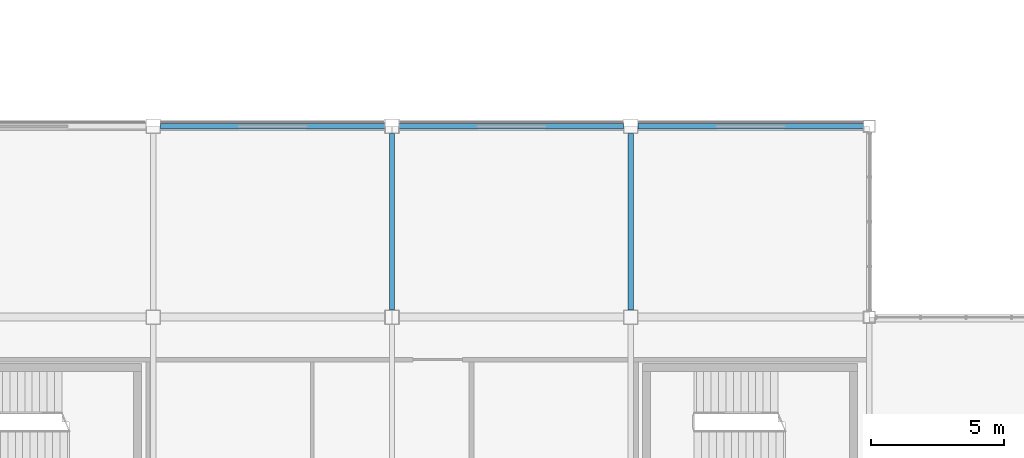
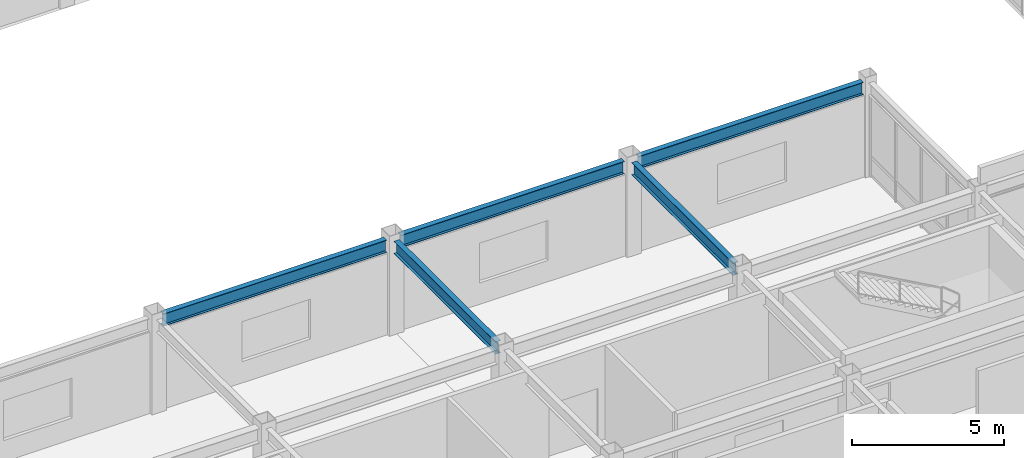
# One storey, part 24 of 122: 5 beams.
"""IFC4 building model written with IfcOpenShell, lengths in metres."""

from ifc_helpers import new_model, si_unit, direction, frame, origin, origin_2d, place, context, subcontext, project, spatial, i_section, extrude, material, material_profile, profile_set, type_object, element, save


model = new_model("IFC4")

# Units and contexts
model_context = context("Model", 3, precision=1e-05, world=origin(), true_north=direction((0.0, 1.0)))
body_context = subcontext(model_context, "Body", "Model", "MODEL_VIEW")
ifc_project = project(units=[si_unit("LENGTHUNIT", "METRE"), si_unit("AREAUNIT", "SQUARE_METRE"), si_unit("VOLUMEUNIT", "CUBIC_METRE"), si_unit("PLANEANGLEUNIT", "RADIAN"), si_unit("MASSUNIT", "GRAM", prefix="KILO")], contexts=[model_context])

# Site, building, storey
site_placement = place(None, origin())
site = spatial("IfcSite", under=ifc_project, at=site_placement, CompositionType="ELEMENT")
building_placement = place(site_placement, origin())
building = spatial("IfcBuilding", under=site, at=building_placement, Name="Kazanami Central Library", CompositionType="ELEMENT")
storey_placement = place(building_placement, frame((0.0, 0.0, 4.800048828125)))
storey = spatial("IfcBuildingStorey", under=building, at=storey_placement, Name="L02", CompositionType="ELEMENT", Elevation=4.800048828125)

# Beams
ifc_material = material(Name="Steel SN490B (325 MPa)", Category="steel")
ifc_material_profile_1 = material_profile(ifc_material, i_section(OverallWidth=0.199951171875, OverallDepth=0.5, WebThickness=0.010009765625, FlangeThickness=0.01611328125, at=origin_2d()), Name="H-500x200x10x16")
ifc_profile_set_1 = profile_set([ifc_material_profile_1], Name="Steel SN490B (325 MPa)")
beam_type_1 = type_object("IfcBeamType", Name="BM-G-Y2", PredefinedType="BEAM", material=ifc_profile_set_1)
for number, where, z_axis, x_axis, name in (
    (1, (18.0, 29.072998046875, 3.5048828125), (0.0, 1.0, 0.0), (-1.0, 0.0, 0.0), "Girder G-Y2 L02 3/E-F"),
    (2, (27.0, 29.072998046875, 3.5048828125), (0.0, 1.0, 0.0), (-1.0, 0.0, 0.0), "Girder G-Y2 L02 4/E-F"),
):
    element("IfcBeam", number, at=place(storey_placement, frame(where, z_axis=z_axis, x_axis=x_axis)), inside=storey, type_object=beam_type_1, Name=name, PredefinedType="BEAM", context=body_context, shape_type="SweptSolid", body=[
        extrude(i_section(OverallWidth=0.199951171875, OverallDepth=0.5, WebThickness=0.010009765625, FlangeThickness=0.01611328125, at=origin_2d()), origin(), (0.0, 0.0, 1.0), 6.654052734375),
    ])
ifc_material_profile_2 = material_profile(ifc_material, i_section(OverallWidth=0.199951171875, OverallDepth=0.5, WebThickness=0.010009765625, FlangeThickness=0.01611328125, at=origin_2d()), Name="H-500x200x10x16")
ifc_profile_set_2 = profile_set([ifc_material_profile_2], Name="Steel SN490B (325 MPa)")
beam_type_2 = type_object("IfcBeamType", Name="BM-SP-1", PredefinedType="SPANDREL", material=ifc_profile_set_2)
for number, where, z_axis, x_axis, name in (
    (3, (9.27294921875, 36.0, 3.5048828125), (1.0, 0.0, 0.0), (0.0, 1.0, 0.0), "Girder SP-1 L02 F/2-3"),
    (4, (18.27294921875, 36.0, 3.5048828125), (1.0, 0.0, 0.0), (0.0, 1.0, 0.0), "Girder SP-1 L02 F/3-4"),
):
    element("IfcBeam", number, at=place(storey_placement, frame(where, z_axis=z_axis, x_axis=x_axis)), inside=storey, type_object=beam_type_2, Name=name, PredefinedType="SPANDREL", context=body_context, shape_type="SweptSolid", body=[
        extrude(i_section(OverallWidth=0.199951171875, OverallDepth=0.5, WebThickness=0.010009765625, FlangeThickness=0.01611328125, at=origin_2d()), origin(), (0.0, 0.0, 1.0), 8.4541015625),
    ])
beam_placement = place(storey_placement, frame((27.27294921875, 36.0, 3.5048828125), z_axis=(1.0, 0.0, 0.0), x_axis=(0.0, 1.0, 0.0)))
element("IfcBeam", 5, at=beam_placement, inside=storey, type_object=beam_type_2, Name="Girder SP-1 L02 F/4-5", PredefinedType="SPANDREL", context=body_context, shape_type="SweptSolid", body=[
    extrude(i_section(OverallWidth=0.199951171875, OverallDepth=0.5, WebThickness=0.010009765625, FlangeThickness=0.01611328125, at=origin_2d()), origin(), (0.0, 0.0, 1.0), 8.504150390625),
])

save(model, "model.ifc")
